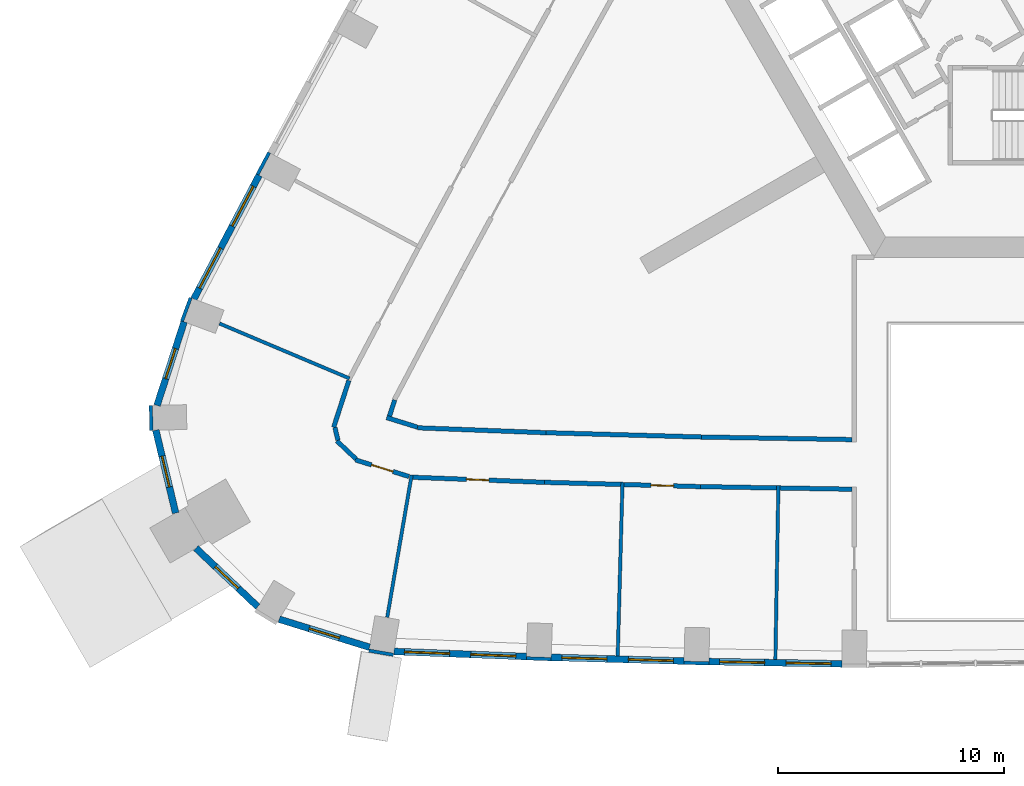
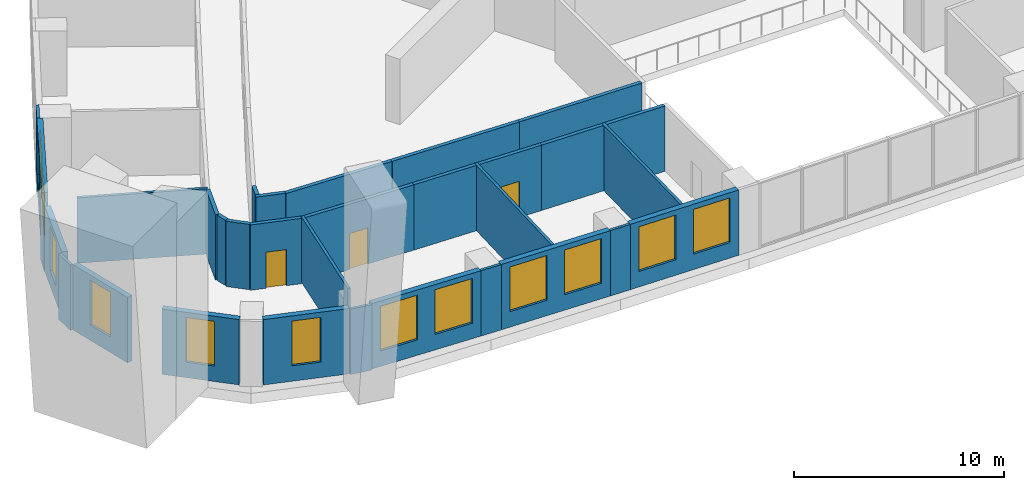
# One storey, part 4 of 15: 32 walls, 12 windows, 3 doors, 15 openings.
"""IFC4 building model written with IfcOpenShell, lengths in metres."""

from ifc_helpers import new_model, si_unit, direction, frame, frame_2d, origin, place, context, subcontext, project, spatial, rectangle, extrude, material, layer, layer_set, type_object, element, fill, save


model = new_model("IFC4")

# Units and contexts
model_context = context("Model", 3, precision=1e-05, world=origin(), true_north=direction((0.0, 1.0)))
body_context = subcontext(model_context, "Body", "Model", "MODEL_VIEW")
ifc_project = project(units=[si_unit("LENGTHUNIT", "METRE"), si_unit("AREAUNIT", "SQUARE_METRE"), si_unit("VOLUMEUNIT", "CUBIC_METRE"), si_unit("PLANEANGLEUNIT", "RADIAN"), si_unit("MASSUNIT", "GRAM", prefix="KILO")], contexts=[model_context])

# Site, building, storey
site_placement = place(None, origin())
site = spatial("IfcSite", under=ifc_project, at=site_placement, CompositionType="ELEMENT")
building_placement = place(site_placement, origin())
building = spatial("IfcBuilding", under=site, at=building_placement, Name="Entoto Arch Interchange Tower", CompositionType="ELEMENT")
storey_placement = place(building_placement, frame((0.0, 0.0, 111.800048828125)))
storey = spatial("IfcBuildingStorey", under=building, at=storey_placement, Name="L24", CompositionType="ELEMENT", Elevation=111.800048828125)

# Walls
ifc_material_1 = material(Name="Gypsum board partition on steel studs", Category="steel")
ifc_layer_1 = layer(ifc_material_1, 0.14990234375)
ifc_layer_set_1 = layer_set([ifc_layer_1], Name="Gypsum board partition on steel studs")
wall_type_1 = type_object("IfcWallType", Name="PARTITION 150", PredefinedType="PARTITIONING", material=ifc_layer_set_1)
wall_1_placement = place(storey_placement, frame((-30.174072265625, -14.866943359375, 0.0), z_axis=(0.0, 0.0, 1.0), x_axis=(-0.921262609517, 0.388941132185, 0.0)))
element("IfcWall", 1, at=wall_1_placement, inside=storey, type_object=wall_type_1, Name="wall:L24:p133", PredefinedType="PARTITIONING", context=body_context, shape_type="SweptSolid", body=[
    extrude(rectangle(XDim=6.257568359375, YDim=0.14990234375, at=frame_2d((3.12890625, 0.0))), origin(), (0.0, 0.0, 1.0), 3.800048828125),
])
wall_2_placement = place(storey_placement, frame((-27.419921875, -19.14794921875, 0.0), z_axis=(0.0, 0.0, 1.0), x_axis=(-0.169086648341, -0.985601189809, 0.0)))
element("IfcWall", 2, at=wall_2_placement, inside=storey, type_object=wall_type_1, Name="wall:L24:p134", PredefinedType="PARTITIONING", context=body_context, shape_type="SweptSolid", body=[
    extrude(rectangle(XDim=6.399169921875, YDim=0.14990234375, at=frame_2d((3.19970703125, 0.0))), origin(), (0.0, 0.0, 1.0), 3.800048828125),
])
wall_3_placement = place(storey_placement, frame((-18.071044921875, -19.468994140625, 0.0), z_axis=(0.0, 0.0, 1.0), x_axis=(-0.027648258523, -0.999617713829, 0.0)))
element("IfcWall", 3, at=wall_3_placement, inside=storey, type_object=wall_type_1, Name="wall:L24:p135", PredefinedType="PARTITIONING", context=body_context, shape_type="SweptSolid", body=[
    extrude(rectangle(XDim=7.699951171875, YDim=0.14990234375, at=frame_2d((3.85009765625, 0.0))), origin(), (0.0, 0.0, 1.0), 3.800048828125),
])
wall_4_placement = place(storey_placement, frame((-11.160888671875, -19.623046875, 0.0), z_axis=(0.0, 0.0, 1.0), x_axis=(-0.017153017473, -0.999852876173, 0.0)))
element("IfcWall", 4, at=wall_4_placement, inside=storey, type_object=wall_type_1, Name="wall:L24:p136", PredefinedType="PARTITIONING", context=body_context, shape_type="SweptSolid", body=[
    extrude(rectangle(XDim=7.7001953125, YDim=0.14990234375, at=frame_2d((3.85009765625, 0.0))), origin(), (0.0, 0.0, 1.0), 3.800048828125),
])
ifc_layer_2 = layer(ifc_material_1, 0.199951171875)
ifc_layer_set_2 = layer_set([ifc_layer_2], Name="Gypsum board partition on steel studs")
wall_type_2 = type_object("IfcWallType", Name="PARTITION 200", PredefinedType="PARTITIONING", material=ifc_layer_set_2)
wall_5_placement = place(storey_placement, frame((-28.1708984375, -15.821044921875, 0.0), z_axis=(0.0, 0.0, 1.0), x_axis=(-0.308053137273, -0.951369152651, 0.0)))
element("IfcWall", 5, at=wall_5_placement, inside=storey, type_object=wall_type_2, Name="wall:L24:p031", PredefinedType="PARTITIONING", context=body_context, shape_type="SweptSolid", body=[
    extrude(rectangle(XDim=0.753662109375, YDim=0.199951171875, at=frame_2d((0.376953125, 0.0))), origin(), (0.0, 0.0, 1.0), 3.800048828125),
])
wall_6_placement = place(storey_placement, frame((-28.529052734375, -16.60302734375, 0.0), z_axis=(0.0, 0.0, 1.0), x_axis=(0.954829998701, -0.297152609916, 0.0)))
element("IfcWall", 6, at=wall_6_placement, inside=storey, type_object=wall_type_2, Name="wall:L24:p032", PredefinedType="PARTITIONING", context=body_context, shape_type="SweptSolid", body=[
    extrude(rectangle(XDim=1.43701171875, YDim=0.199951171875, at=frame_2d((0.718505859375, 0.0))), origin(), (0.0, 0.0, 1.0), 3.800048828125),
])
wall_7_placement = place(storey_placement, frame((-27.162109375, -17.055908203125, 0.0), z_axis=(0.0, 0.0, 1.0), x_axis=(0.999270868304, -0.038180253525, 0.0)))
element("IfcWall", 7, at=wall_7_placement, inside=storey, type_object=wall_type_2, Name="wall:L24:p033", PredefinedType="PARTITIONING", context=body_context, shape_type="SweptSolid", body=[
    extrude(rectangle(XDim=5.710205078125, YDim=0.199951171875, at=frame_2d((2.85498046875, 0.0))), origin(), (0.0, 0.0, 1.0), 3.800048828125),
])
wall_8_placement = place(storey_placement, frame((-21.4560546875, -17.27392578125, 0.0), z_axis=(0.0, 0.0, 1.0), x_axis=(0.999618915549, -0.02760477632, 0.0)))
element("IfcWall", 8, at=wall_8_placement, inside=storey, type_object=wall_type_2, Name="wall:L24:p034", PredefinedType="PARTITIONING", context=body_context, shape_type="SweptSolid", body=[
    extrude(rectangle(XDim=6.8896484375, YDim=0.199951171875, at=frame_2d((3.44482421875, 0.0))), origin(), (0.0, 0.0, 1.0), 3.800048828125),
])
wall_9_placement = place(storey_placement, frame((-14.569091796875, -17.464111328125, 0.0), z_axis=(0.0, 0.0, 1.0), x_axis=(0.999851389672, -0.017239448129, 0.0)))
element("IfcWall", 9, at=wall_9_placement, inside=storey, type_object=wall_type_2, Name="wall:L24:p035", PredefinedType="PARTITIONING", context=body_context, shape_type="SweptSolid", body=[
    extrude(rectangle(XDim=6.670166015625, YDim=0.199951171875, at=frame_2d((3.3349609375, 0.0))), origin(), (0.0, 0.0, 1.0), 3.800048828125),
])

# Wall, opening, door
wall_10_placement = place(storey_placement, frame((-27.532958984375, -19.217041015625, 0.0), z_axis=(0.0, 0.0, 1.0), x_axis=(-0.954946345159, 0.296778499671, 0.0)))
wall_10 = element("IfcWall", 10, at=wall_10_placement, inside=storey, type_object=wall_type_2, Name="wall:L24:p069", PredefinedType="PARTITIONING", context=body_context, shape_type="SweptSolid", body=[
    extrude(rectangle(XDim=2.490234375, YDim=0.199951171875, at=frame_2d((1.2451171875, 0.0))), origin(), (0.0, 0.0, 1.0), 3.800048828125),
])
opening_1_placement = place(wall_10_placement, frame((0.7451171875, 0.0, 0.0)))
opening_1 = element("IfcOpeningElement", 11, at=opening_1_placement, cuts=wall_10, Name="Opening L24-D16", PredefinedType="OPENING", context=body_context, shape_type="SweptSolid", body=[
    extrude(rectangle(XDim=1.0, YDim=2.10009765625, at=frame_2d((0.5, 1.050048828125))), frame((0.0, 0.10986328125, 0.0), z_axis=(0.0, -1.0, 0.0), x_axis=(1.0, 0.0, 0.0)), (0.0, 0.0, 1.0), 0.219970703125),
])
ifc_material_2 = material(Name="Timber door leaf in Steel S235 frame", Category="steel")
door_type = type_object("IfcDoorType", Name="DOOR DS-10 1000x2100", OperationType="SINGLE_SWING_LEFT", PredefinedType="DOOR", material=ifc_material_2)
door_1_placement = place(opening_1_placement, origin())
door_1 = element("IfcDoor", 12, at=door_1_placement, inside=storey, type_object=door_type, Name="door:L24:16", OperationType="SINGLE_SWING_LEFT", OverallHeight=2.10009765625, OverallWidth=1.0, PredefinedType="DOOR", context=body_context, shape_type="SweptSolid", body=[
    extrude(rectangle(XDim=1.0, YDim=2.10009765625, at=frame_2d((0.5, 1.050048828125))), frame((0.0, 0.02490234375, 0.0), z_axis=(0.0, -1.0, 0.0), x_axis=(1.0, 0.0, 0.0)), (0.0, 0.0, 1.0), 0.050048828125),
])
fill(opening_1, door_1)

# Walls
wall_11_placement = place(storey_placement, frame((-29.887939453125, -18.43896484375, 0.0), z_axis=(0.0, 0.0, 1.0), x_axis=(-0.726155646563, 0.687530346214, 0.0)))
element("IfcWall", 13, at=wall_11_placement, inside=storey, type_object=wall_type_2, Name="wall:L24:p070", PredefinedType="PARTITIONING", context=body_context, shape_type="SweptSolid", body=[
    extrude(rectangle(XDim=1.16943359375, YDim=0.199951171875, at=frame_2d((0.584716796875, 0.0))), origin(), (0.0, 0.0, 1.0), 3.800048828125),
])
wall_12_placement = place(storey_placement, frame((-30.68701171875, -17.60693359375, 0.0), z_axis=(0.0, 0.0, 1.0), x_axis=(-0.232504544059, 0.972595309978, 0.0)))
element("IfcWall", 14, at=wall_12_placement, inside=storey, type_object=wall_type_2, Name="wall:L24:p071", PredefinedType="PARTITIONING", context=body_context, shape_type="SweptSolid", body=[
    extrude(rectangle(XDim=0.5849609375, YDim=0.199951171875, at=frame_2d((0.29248046875, 0.0))), origin(), (0.0, 0.0, 1.0), 3.800048828125),
])
wall_13_placement = place(storey_placement, frame((-30.8779296875, -17.035888671875, 0.0), z_axis=(0.0, 0.0, 1.0), x_axis=(0.308592319841, 0.951194396606, 0.0)))
element("IfcWall", 15, at=wall_13_placement, inside=storey, type_object=wall_type_2, Name="wall:L24:p072", PredefinedType="PARTITIONING", context=body_context, shape_type="SweptSolid", body=[
    extrude(rectangle(XDim=2.180419921875, YDim=0.199951171875, at=frame_2d((1.09033203125, 0.0))), origin(), (0.0, 0.0, 1.0), 3.800048828125),
])
wall_14_placement = place(storey_placement, frame((-18.14892578125, -19.56591796875, 0.0), z_axis=(0.0, 0.0, 1.0), x_axis=(-0.999621568347, 0.027508545868, 0.0)))
element("IfcWall", 16, at=wall_14_placement, inside=storey, type_object=wall_type_2, Name="wall:L24:p073", PredefinedType="PARTITIONING", context=body_context, shape_type="SweptSolid", body=[
    extrude(rectangle(XDim=3.38134765625, YDim=0.199951171875, at=frame_2d((1.690673828125, 0.0))), origin(), (0.0, 0.0, 1.0), 3.800048828125),
])

# Wall, opening, door
wall_15_placement = place(storey_placement, frame((-21.529052734375, -19.472900390625, 0.0), z_axis=(0.0, 0.0, 1.0), x_axis=(-0.999270076349, 0.038200975307, 0.0)))
wall_15 = element("IfcWall", 17, at=wall_15_placement, inside=storey, type_object=wall_type_2, Name="wall:L24:p074", PredefinedType="PARTITIONING", context=body_context, shape_type="SweptSolid", body=[
    extrude(rectangle(XDim=5.937255859375, YDim=0.199951171875, at=frame_2d((2.96875, 0.0))), origin(), (0.0, 0.0, 1.0), 3.800048828125),
])
opening_2_placement = place(wall_15_placement, frame((2.468994140625, 0.0, 0.0)))
opening_2 = element("IfcOpeningElement", 18, at=opening_2_placement, cuts=wall_15, Name="Opening L24-D17", PredefinedType="OPENING", context=body_context, shape_type="SweptSolid", body=[
    extrude(rectangle(XDim=1.0, YDim=2.10009765625, at=frame_2d((0.5, 1.050048828125))), frame((0.0, 0.10986328125, 0.0), z_axis=(0.0, -1.0, 0.0), x_axis=(1.0, 0.0, 0.0)), (0.0, 0.0, 1.0), 0.219970703125),
])
door_2_placement = place(opening_2_placement, origin())
door_2 = element("IfcDoor", 19, at=door_2_placement, inside=storey, type_object=door_type, Name="door:L24:17", OperationType="SINGLE_SWING_LEFT", OverallHeight=2.10009765625, OverallWidth=1.0, PredefinedType="DOOR", context=body_context, shape_type="SweptSolid", body=[
    extrude(rectangle(XDim=1.0, YDim=2.10009765625, at=frame_2d((0.5, 1.050048828125))), frame((0.0, 0.02490234375, 0.0), z_axis=(0.0, -1.0, 0.0), x_axis=(1.0, 0.0, 0.0)), (0.0, 0.0, 1.0), 0.050048828125),
])
fill(opening_2, door_2)

# Wall
wall_16_placement = place(storey_placement, frame((-11.237060546875, -19.721923828125, 0.0), z_axis=(0.0, 0.0, 1.0), x_axis=(-0.999853581081, 0.017111878879, 0.0)))
element("IfcWall", 20, at=wall_16_placement, inside=storey, type_object=wall_type_2, Name="wall:L24:p075", PredefinedType="PARTITIONING", context=body_context, shape_type="SweptSolid", body=[
    extrude(rectangle(XDim=3.38134765625, YDim=0.199951171875, at=frame_2d((1.690673828125, 0.0))), origin(), (0.0, 0.0, 1.0), 3.800048828125),
])

# Wall, opening, door
wall_17_placement = place(storey_placement, frame((-14.617919921875, -19.6640625, 0.0), z_axis=(0.0, 0.0, 1.0), x_axis=(-0.999621786796, 0.027500606598, 0.0)))
wall_17 = element("IfcWall", 21, at=wall_17_placement, inside=storey, type_object=wall_type_2, Name="wall:L24:p076", PredefinedType="PARTITIONING", context=body_context, shape_type="SweptSolid", body=[
    extrude(rectangle(XDim=3.38232421875, YDim=0.199951171875, at=frame_2d((1.691162109375, 0.0))), origin(), (0.0, 0.0, 1.0), 3.800048828125),
])
opening_3_placement = place(wall_17_placement, frame((1.19091796875, 0.0, 0.0)))
opening_3 = element("IfcOpeningElement", 22, at=opening_3_placement, cuts=wall_17, Name="Opening L24-D18", PredefinedType="OPENING", context=body_context, shape_type="SweptSolid", body=[
    extrude(rectangle(XDim=1.0, YDim=2.10009765625, at=frame_2d((0.5, 1.050048828125))), frame((0.0, 0.10986328125, 0.0), z_axis=(0.0, -1.0, 0.0), x_axis=(1.0, 0.0, 0.0)), (0.0, 0.0, 1.0), 0.219970703125),
])
door_3_placement = place(opening_3_placement, origin())
door_3 = element("IfcDoor", 23, at=door_3_placement, inside=storey, type_object=door_type, Name="door:L24:18", OperationType="SINGLE_SWING_LEFT", OverallHeight=2.10009765625, OverallWidth=1.0, PredefinedType="DOOR", context=body_context, shape_type="SweptSolid", body=[
    extrude(rectangle(XDim=1.0, YDim=2.10009765625, at=frame_2d((0.5, 1.050048828125))), frame((0.0, 0.02490234375, 0.0), z_axis=(0.0, -1.0, 0.0), x_axis=(1.0, 0.0, 0.0)), (0.0, 0.0, 1.0), 0.050048828125),
])
fill(opening_3, door_3)

# Wall
wall_18_placement = place(storey_placement, frame((-7.89990234375, -19.779052734375, 0.0), z_axis=(0.0, 0.0, 1.0), x_axis=(-0.999851582532, 0.017228259004, 0.0)))
element("IfcWall", 24, at=wall_18_placement, inside=storey, type_object=wall_type_2, Name="wall:L24:p077", PredefinedType="PARTITIONING", context=body_context, shape_type="SweptSolid", body=[
    extrude(rectangle(XDim=3.1884765625, YDim=0.199951171875, at=frame_2d((1.59423828125, 0.0))), origin(), (0.0, 0.0, 1.0), 3.800048828125),
])

# Wall, openings, windows
ifc_material_3 = material(Name="Welded tuff (ignimbrite) cladding, warm buff", Category="masonry")
ifc_layer_3 = layer(ifc_material_3, 0.300048828125)
ifc_layer_set_3 = layer_set([ifc_layer_3], Name="Welded tuff (ignimbrite) cladding, warm buff")
wall_type_3 = type_object("IfcWallType", Name="STONE INFILL WALL 300", PredefinedType="STANDARD", material=ifc_layer_set_3)
wall_19_placement = place(storey_placement, frame((-28.205078125, -26.972900390625, 0.0), z_axis=(0.0, 0.0, 1.0), x_axis=(0.999266319694, -0.03829911651, 0.0)))
wall_19 = element("IfcWall", 25, at=wall_19_placement, inside=storey, type_object=wall_type_3, Name="Facade wall S-01 L24", PredefinedType="STANDARD", context=body_context, shape_type="SweptSolid", body=[
    extrude(rectangle(XDim=5.87744140625, YDim=0.300048828125, at=frame_2d((2.938720703125, 0.0))), origin(), (0.0, 0.0, 1.0), 3.800048828125),
])
opening_4_placement = place(wall_19_placement, frame((0.468994140625, 0.0, 0.89990234375)))
opening_4 = element("IfcOpeningElement", 26, at=opening_4_placement, cuts=wall_19, Name="Opening WO-C", PredefinedType="OPENING", context=body_context, shape_type="SweptSolid", body=[
    extrude(rectangle(XDim=2.0, YDim=2.60009765625, at=frame_2d((1.0, 1.300048828125))), frame((0.0, 0.16015625, 0.0), z_axis=(0.0, -1.0, 0.0), x_axis=(1.0, 0.0, 0.0)), (0.0, 0.0, 1.0), 0.320068359375),
])
opening_5_placement = place(wall_19_placement, frame((3.407958984375, 0.0, 0.89990234375)))
opening_5 = element("IfcOpeningElement", 27, at=opening_5_placement, cuts=wall_19, Name="Opening WO-C", PredefinedType="OPENING", context=body_context, shape_type="SweptSolid", body=[
    extrude(rectangle(XDim=2.0, YDim=2.60009765625, at=frame_2d((1.0, 1.300048828125))), frame((0.0, 0.16015625, 0.0), z_axis=(0.0, -1.0, 0.0), x_axis=(1.0, 0.0, 0.0)), (0.0, 0.0, 1.0), 0.320068359375),
])
ifc_material_4 = material(Name="Clear glass, low-e double glazed", Category="glass")
window_type_1 = type_object("IfcWindowType", Name="WINDOW WO-C 2000x2600", PartitioningType="DOUBLE_PANEL_VERTICAL", PredefinedType="WINDOW", material=ifc_material_4)
window_1_placement = place(opening_4_placement, origin())
window_1 = element("IfcWindow", 28, at=window_1_placement, inside=storey, type_object=window_type_1, Name="Window WO-C S-01 L24", OverallHeight=2.60009765625, OverallWidth=2.0, PartitioningType="SINGLE_PANEL", PredefinedType="WINDOW", context=body_context, shape_type="SweptSolid", body=[
    extrude(rectangle(XDim=2.0, YDim=2.60009765625, at=frame_2d((1.0, 1.300048828125))), frame((0.0, 0.030029296875, 0.0), z_axis=(0.0, -1.0, 0.0), x_axis=(1.0, 0.0, 0.0)), (0.0, 0.0, 1.0), 0.06005859375),
])
fill(opening_4, window_1)
window_2_placement = place(opening_5_placement, origin())
window_2 = element("IfcWindow", 29, at=window_2_placement, inside=storey, type_object=window_type_1, Name="Window WO-C S-01 L24", OverallHeight=2.60009765625, OverallWidth=2.0, PartitioningType="SINGLE_PANEL", PredefinedType="WINDOW", context=body_context, shape_type="SweptSolid", body=[
    extrude(rectangle(XDim=2.0, YDim=2.60009765625, at=frame_2d((1.0, 1.300048828125))), frame((0.0, 0.030029296875, 0.0), z_axis=(0.0, -1.0, 0.0), x_axis=(1.0, 0.0, 0.0)), (0.0, 0.0, 1.0), 0.06005859375),
])
fill(opening_5, window_2)

wall_20_placement = place(storey_placement, frame((-21.235107421875, -27.23388671875, 0.0), z_axis=(0.0, 0.0, 1.0), x_axis=(0.999617542368, -0.027654456983, 0.0)))
wall_20 = element("IfcWall", 30, at=wall_20_placement, inside=storey, type_object=wall_type_3, Name="Facade wall S-02 L24", PredefinedType="STANDARD", context=body_context, shape_type="SweptSolid", body=[
    extrude(rectangle(XDim=5.897216796875, YDim=0.300048828125, at=frame_2d((2.94873046875, 0.0))), origin(), (0.0, 0.0, 1.0), 3.800048828125),
])
opening_6_placement = place(wall_20_placement, frame((0.47412109375, 0.0, 0.89990234375)))
opening_6 = element("IfcOpeningElement", 31, at=opening_6_placement, cuts=wall_20, Name="Opening WO-C", PredefinedType="OPENING", context=body_context, shape_type="SweptSolid", body=[
    extrude(rectangle(XDim=2.0, YDim=2.60009765625, at=frame_2d((1.0, 1.300048828125))), frame((0.0, 0.16015625, 0.0), z_axis=(0.0, -1.0, 0.0), x_axis=(1.0, 0.0, 0.0)), (0.0, 0.0, 1.0), 0.320068359375),
])
opening_7_placement = place(wall_20_placement, frame((3.423095703125, 0.0, 0.89990234375)))
opening_7 = element("IfcOpeningElement", 32, at=opening_7_placement, cuts=wall_20, Name="Opening WO-C", PredefinedType="OPENING", context=body_context, shape_type="SweptSolid", body=[
    extrude(rectangle(XDim=2.0, YDim=2.60009765625, at=frame_2d((1.0, 1.300048828125))), frame((0.0, 0.16015625, 0.0), z_axis=(0.0, -1.0, 0.0), x_axis=(1.0, 0.0, 0.0)), (0.0, 0.0, 1.0), 0.320068359375),
])
window_3_placement = place(opening_6_placement, origin())
window_3 = element("IfcWindow", 33, at=window_3_placement, inside=storey, type_object=window_type_1, Name="Window WO-C S-02 L24", OverallHeight=2.60009765625, OverallWidth=2.0, PartitioningType="SINGLE_PANEL", PredefinedType="WINDOW", context=body_context, shape_type="SweptSolid", body=[
    extrude(rectangle(XDim=2.0, YDim=2.60009765625, at=frame_2d((1.0, 1.300048828125))), frame((0.0, 0.030029296875, 0.0), z_axis=(0.0, -1.0, 0.0), x_axis=(1.0, 0.0, 0.0)), (0.0, 0.0, 1.0), 0.06005859375),
])
fill(opening_6, window_3)
window_4_placement = place(opening_7_placement, origin())
window_4 = element("IfcWindow", 34, at=window_4_placement, inside=storey, type_object=window_type_1, Name="Window WO-C S-02 L24", OverallHeight=2.60009765625, OverallWidth=2.0, PartitioningType="SINGLE_PANEL", PredefinedType="WINDOW", context=body_context, shape_type="SweptSolid", body=[
    extrude(rectangle(XDim=2.0, YDim=2.60009765625, at=frame_2d((1.0, 1.300048828125))), frame((0.0, 0.030029296875, 0.0), z_axis=(0.0, -1.0, 0.0), x_axis=(1.0, 0.0, 0.0)), (0.0, 0.0, 1.0), 0.06005859375),
])
fill(opening_7, window_4)

wall_21_placement = place(storey_placement, frame((-14.241943359375, -27.4208984375, 0.0), z_axis=(0.0, 0.0, 1.0), x_axis=(0.999850142513, -0.017311629508, 0.0)))
wall_21 = element("IfcWall", 35, at=wall_21_placement, inside=storey, type_object=wall_type_3, Name="Facade wall S-03 L24", PredefinedType="STANDARD", context=body_context, shape_type="SweptSolid", body=[
    extrude(rectangle(XDim=5.89501953125, YDim=0.300048828125, at=frame_2d((2.947509765625, 0.0))), origin(), (0.0, 0.0, 1.0), 3.800048828125),
])
opening_8_placement = place(wall_21_placement, frame((0.47412109375, 0.0, 0.89990234375)))
opening_8 = element("IfcOpeningElement", 36, at=opening_8_placement, cuts=wall_21, Name="Opening WO-C", PredefinedType="OPENING", context=body_context, shape_type="SweptSolid", body=[
    extrude(rectangle(XDim=2.0, YDim=2.60009765625, at=frame_2d((1.0, 1.300048828125))), frame((0.0, 0.16015625, 0.0), z_axis=(0.0, -1.0, 0.0), x_axis=(1.0, 0.0, 0.0)), (0.0, 0.0, 1.0), 0.320068359375),
])
opening_9_placement = place(wall_21_placement, frame((3.4208984375, 0.0, 0.89990234375)))
opening_9 = element("IfcOpeningElement", 37, at=opening_9_placement, cuts=wall_21, Name="Opening WO-C", PredefinedType="OPENING", context=body_context, shape_type="SweptSolid", body=[
    extrude(rectangle(XDim=2.0, YDim=2.60009765625, at=frame_2d((1.0, 1.300048828125))), frame((0.0, 0.16015625, 0.0), z_axis=(0.0, -1.0, 0.0), x_axis=(1.0, 0.0, 0.0)), (0.0, 0.0, 1.0), 0.320068359375),
])
window_5_placement = place(opening_8_placement, origin())
window_5 = element("IfcWindow", 38, at=window_5_placement, inside=storey, type_object=window_type_1, Name="Window WO-C S-03 L24", OverallHeight=2.60009765625, OverallWidth=2.0, PartitioningType="SINGLE_PANEL", PredefinedType="WINDOW", context=body_context, shape_type="SweptSolid", body=[
    extrude(rectangle(XDim=2.0, YDim=2.60009765625, at=frame_2d((1.0, 1.300048828125))), frame((0.0, 0.030029296875, 0.0), z_axis=(0.0, -1.0, 0.0), x_axis=(1.0, 0.0, 0.0)), (0.0, 0.0, 1.0), 0.06005859375),
])
fill(opening_8, window_5)
window_6_placement = place(opening_9_placement, origin())
window_6 = element("IfcWindow", 39, at=window_6_placement, inside=storey, type_object=window_type_1, Name="Window WO-C S-03 L24", OverallHeight=2.60009765625, OverallWidth=2.0, PartitioningType="SINGLE_PANEL", PredefinedType="WINDOW", context=body_context, shape_type="SweptSolid", body=[
    extrude(rectangle(XDim=2.0, YDim=2.60009765625, at=frame_2d((1.0, 1.300048828125))), frame((0.0, 0.030029296875, 0.0), z_axis=(0.0, -1.0, 0.0), x_axis=(1.0, 0.0, 0.0)), (0.0, 0.0, 1.0), 0.06005859375),
])
fill(opening_9, window_6)

wall_22_placement = place(storey_placement, frame((-34.18505859375, -5.860107421875, 0.0), z_axis=(0.0, 0.0, 1.0), x_axis=(-0.466599547852, -0.88446868907, 0.0)))
wall_22 = element("IfcWall", 40, at=wall_22_placement, inside=storey, type_object=wall_type_3, Name="Facade wall NW-08 L24", PredefinedType="STANDARD", context=body_context, shape_type="SweptSolid", body=[
    extrude(rectangle(XDim=6.202392578125, YDim=0.300048828125, at=frame_2d((3.10107421875, 0.0))), origin(), (0.0, 0.0, 1.0), 3.800048828125),
])
opening_10_placement = place(wall_22_placement, frame((0.551025390625, 0.0, 0.89990234375)))
opening_10 = element("IfcOpeningElement", 41, at=opening_10_placement, cuts=wall_22, Name="Opening WO-C", PredefinedType="OPENING", context=body_context, shape_type="SweptSolid", body=[
    extrude(rectangle(XDim=2.0, YDim=2.60009765625, at=frame_2d((1.0, 1.300048828125))), frame((0.0, 0.16015625, 0.0), z_axis=(0.0, -1.0, 0.0), x_axis=(1.0, 0.0, 0.0)), (0.0, 0.0, 1.0), 0.320068359375),
])
opening_11_placement = place(wall_22_placement, frame((3.652099609375, 0.0, 0.89990234375)))
opening_11 = element("IfcOpeningElement", 42, at=opening_11_placement, cuts=wall_22, Name="Opening WO-C", PredefinedType="OPENING", context=body_context, shape_type="SweptSolid", body=[
    extrude(rectangle(XDim=2.0, YDim=2.60009765625, at=frame_2d((1.0, 1.300048828125))), frame((0.0, 0.16015625, 0.0), z_axis=(0.0, -1.0, 0.0), x_axis=(1.0, 0.0, 0.0)), (0.0, 0.0, 1.0), 0.320068359375),
])
window_7_placement = place(opening_10_placement, origin())
window_7 = element("IfcWindow", 43, at=window_7_placement, inside=storey, type_object=window_type_1, Name="Window WO-C NW-08 L24", OverallHeight=2.60009765625, OverallWidth=2.0, PartitioningType="SINGLE_PANEL", PredefinedType="WINDOW", context=body_context, shape_type="SweptSolid", body=[
    extrude(rectangle(XDim=2.0, YDim=2.60009765625, at=frame_2d((1.0, 1.300048828125))), frame((0.0, 0.030029296875, 0.0), z_axis=(0.0, -1.0, 0.0), x_axis=(1.0, 0.0, 0.0)), (0.0, 0.0, 1.0), 0.06005859375),
])
fill(opening_10, window_7)
window_8_placement = place(opening_11_placement, origin())
window_8 = element("IfcWindow", 44, at=window_8_placement, inside=storey, type_object=window_type_1, Name="Window WO-C NW-08 L24", OverallHeight=2.60009765625, OverallWidth=2.0, PartitioningType="SINGLE_PANEL", PredefinedType="WINDOW", context=body_context, shape_type="SweptSolid", body=[
    extrude(rectangle(XDim=2.0, YDim=2.60009765625, at=frame_2d((1.0, 1.300048828125))), frame((0.0, 0.030029296875, 0.0), z_axis=(0.0, -1.0, 0.0), x_axis=(1.0, 0.0, 0.0)), (0.0, 0.0, 1.0), 0.06005859375),
])
fill(opening_11, window_8)

# Wall, opening, window
wall_23_placement = place(storey_placement, frame((-37.508056640625, -12.35791015625, 0.0), z_axis=(0.0, 0.0, 1.0), x_axis=(-0.308484760821, -0.951229284842, 0.0)))
wall_23 = element("IfcWall", 45, at=wall_23_placement, inside=storey, type_object=wall_type_3, Name="Facade wall SW-01 L24", PredefinedType="STANDARD", context=body_context, shape_type="SweptSolid", body=[
    extrude(rectangle(XDim=3.89306640625, YDim=0.300048828125, at=frame_2d((1.946533203125, 0.0))), origin(), (0.0, 0.0, 1.0), 3.800048828125),
])
opening_12_placement = place(wall_23_placement, frame((1.24609375, 0.0, 0.89990234375)))
opening_12 = element("IfcOpeningElement", 46, at=opening_12_placement, cuts=wall_23, Name="Opening WO-B", PredefinedType="OPENING", context=body_context, shape_type="SweptSolid", body=[
    extrude(rectangle(XDim=1.39990234375, YDim=2.60009765625, at=frame_2d((0.699951171875, 1.300048828125))), frame((0.0, 0.16015625, 0.0), z_axis=(0.0, -1.0, 0.0), x_axis=(1.0, 0.0, 0.0)), (0.0, 0.0, 1.0), 0.320068359375),
])
window_type_2 = type_object("IfcWindowType", Name="WINDOW WO-B 1400x2600", PartitioningType="DOUBLE_PANEL_VERTICAL", PredefinedType="WINDOW", material=ifc_material_4)
window_9_placement = place(opening_12_placement, origin())
window_9 = element("IfcWindow", 47, at=window_9_placement, inside=storey, type_object=window_type_2, Name="Window WO-B SW-01 L24", OverallHeight=2.60009765625, OverallWidth=1.39990234375, PartitioningType="SINGLE_PANEL", PredefinedType="WINDOW", context=body_context, shape_type="SweptSolid", body=[
    extrude(rectangle(XDim=1.39990234375, YDim=2.60009765625, at=frame_2d((0.699951171875, 1.300048828125))), frame((0.0, 0.030029296875, 0.0), z_axis=(0.0, -1.0, 0.0), x_axis=(1.0, 0.0, 0.0)), (0.0, 0.0, 1.0), 0.06005859375),
])
fill(opening_12, window_9)

wall_24_placement = place(storey_placement, frame((-38.762939453125, -17.160888671875, 0.0), z_axis=(0.0, 0.0, 1.0), x_axis=(0.232654276823, -0.972559503309, 0.0)))
wall_24 = element("IfcWall", 48, at=wall_24_placement, inside=storey, type_object=wall_type_3, Name="Facade wall SW-02 L24", PredefinedType="STANDARD", context=body_context, shape_type="SweptSolid", body=[
    extrude(rectangle(XDim=3.77783203125, YDim=0.300048828125, at=frame_2d((1.888916015625, 0.0))), origin(), (0.0, 0.0, 1.0), 3.800048828125),
])
opening_13_placement = place(wall_24_placement, frame((1.18896484375, 0.0, 0.89990234375)))
opening_13 = element("IfcOpeningElement", 49, at=opening_13_placement, cuts=wall_24, Name="Opening WO-B", PredefinedType="OPENING", context=body_context, shape_type="SweptSolid", body=[
    extrude(rectangle(XDim=1.39990234375, YDim=2.60009765625, at=frame_2d((0.699951171875, 1.300048828125))), frame((0.0, 0.16015625, 0.0), z_axis=(0.0, -1.0, 0.0), x_axis=(1.0, 0.0, 0.0)), (0.0, 0.0, 1.0), 0.320068359375),
])
window_10_placement = place(opening_13_placement, origin())
window_10 = element("IfcWindow", 50, at=window_10_placement, inside=storey, type_object=window_type_2, Name="Window WO-B SW-02 L24", OverallHeight=2.60009765625, OverallWidth=1.39990234375, PartitioningType="SINGLE_PANEL", PredefinedType="WINDOW", context=body_context, shape_type="SweptSolid", body=[
    extrude(rectangle(XDim=1.39990234375, YDim=2.60009765625, at=frame_2d((0.699951171875, 1.300048828125))), frame((0.0, 0.030029296875, 0.0), z_axis=(0.0, -1.0, 0.0), x_axis=(1.0, 0.0, 0.0)), (0.0, 0.0, 1.0), 0.06005859375),
])
fill(opening_13, window_10)

wall_25_placement = place(storey_placement, frame((-36.985107421875, -22.39208984375, 0.0), z_axis=(0.0, 0.0, 1.0), x_axis=(0.726076674532, -0.687613745281, 0.0)))
wall_25 = element("IfcWall", 51, at=wall_25_placement, inside=storey, type_object=wall_type_3, Name="Facade wall SW-03 L24", PredefinedType="STANDARD", context=body_context, shape_type="SweptSolid", body=[
    extrude(rectangle(XDim=3.776611328125, YDim=0.300048828125, at=frame_2d((1.88818359375, 0.0))), origin(), (0.0, 0.0, 1.0), 3.800048828125),
])
opening_14_placement = place(wall_25_placement, frame((1.18798828125, 0.0, 0.89990234375)))
opening_14 = element("IfcOpeningElement", 52, at=opening_14_placement, cuts=wall_25, Name="Opening WO-B", PredefinedType="OPENING", context=body_context, shape_type="SweptSolid", body=[
    extrude(rectangle(XDim=1.39990234375, YDim=2.60009765625, at=frame_2d((0.699951171875, 1.300048828125))), frame((0.0, 0.16015625, 0.0), z_axis=(0.0, -1.0, 0.0), x_axis=(1.0, 0.0, 0.0)), (0.0, 0.0, 1.0), 0.320068359375),
])
window_11_placement = place(opening_14_placement, origin())
window_11 = element("IfcWindow", 53, at=window_11_placement, inside=storey, type_object=window_type_2, Name="Window WO-B SW-03 L24", OverallHeight=2.60009765625, OverallWidth=1.39990234375, PartitioningType="SINGLE_PANEL", PredefinedType="WINDOW", context=body_context, shape_type="SweptSolid", body=[
    extrude(rectangle(XDim=1.39990234375, YDim=2.60009765625, at=frame_2d((0.699951171875, 1.300048828125))), frame((0.0, 0.030029296875, 0.0), z_axis=(0.0, -1.0, 0.0), x_axis=(1.0, 0.0, 0.0)), (0.0, 0.0, 1.0), 0.06005859375),
])
fill(opening_14, window_11)

wall_26_placement = place(storey_placement, frame((-33.2939453125, -25.5419921875, 0.0), z_axis=(0.0, 0.0, 1.0), x_axis=(0.954955020021, -0.296750585066, 0.0)))
wall_26 = element("IfcWall", 54, at=wall_26_placement, inside=storey, type_object=wall_type_3, Name="Facade wall SW-04 L24", PredefinedType="STANDARD", context=body_context, shape_type="SweptSolid", body=[
    extrude(rectangle(XDim=4.19580078125, YDim=0.300048828125, at=frame_2d((2.097900390625, 0.0))), origin(), (0.0, 0.0, 1.0), 3.800048828125),
])
opening_15_placement = place(wall_26_placement, frame((1.39794921875, 0.0, 0.89990234375)))
opening_15 = element("IfcOpeningElement", 55, at=opening_15_placement, cuts=wall_26, Name="Opening WO-B", PredefinedType="OPENING", context=body_context, shape_type="SweptSolid", body=[
    extrude(rectangle(XDim=1.39990234375, YDim=2.60009765625, at=frame_2d((0.699951171875, 1.300048828125))), frame((0.0, 0.16015625, 0.0), z_axis=(0.0, -1.0, 0.0), x_axis=(1.0, 0.0, 0.0)), (0.0, 0.0, 1.0), 0.320068359375),
])
window_12_placement = place(opening_15_placement, origin())
window_12 = element("IfcWindow", 56, at=window_12_placement, inside=storey, type_object=window_type_2, Name="Window WO-B SW-04 L24", OverallHeight=2.60009765625, OverallWidth=1.39990234375, PartitioningType="SINGLE_PANEL", PredefinedType="WINDOW", context=body_context, shape_type="SweptSolid", body=[
    extrude(rectangle(XDim=1.39990234375, YDim=2.60009765625, at=frame_2d((0.699951171875, 1.300048828125))), frame((0.0, 0.030029296875, 0.0), z_axis=(0.0, -1.0, 0.0), x_axis=(1.0, 0.0, 0.0)), (0.0, 0.0, 1.0), 0.06005859375),
])
fill(opening_15, window_12)

# Walls
ifc_layer_4 = layer(ifc_material_3, 0.14990234375)
ifc_layer_set_4 = layer_set([ifc_layer_4], Name="Welded tuff (ignimbrite) cladding, warm buff")
wall_type_4 = type_object("IfcWallType", Name="STONE PIER CLADDING 150", PredefinedType="STANDARD", material=ifc_layer_set_4)
wall_27_placement = place(storey_placement, frame((-33.737060546875, -4.85400390625, 0.0), z_axis=(0.0, 0.0, 1.0), x_axis=(-0.46919310775, -0.883095593716, 0.0)))
element("IfcWall", 57, at=wall_27_placement, inside=storey, type_object=wall_type_4, Name="Stone pier NW08 L24", PredefinedType="STANDARD", context=body_context, shape_type="SweptSolid", body=[
    extrude(rectangle(XDim=1.099365234375, YDim=0.14990234375, at=frame_2d((0.5498046875, 0.0))), origin(), (0.0, 0.0, 1.0), 3.800048828125),
])
wall_28_placement = place(storey_placement, frame((-37.218017578125, -11.29296875, 0.0), z_axis=(0.0, 0.0, 1.0), x_axis=(-0.347205967468, -0.937788897436, 0.0)))
element("IfcWall", 58, at=wall_28_placement, inside=storey, type_object=wall_type_4, Name="Stone pier NW09 L24", PredefinedType="STANDARD", context=body_context, shape_type="SweptSolid", body=[
    extrude(rectangle(XDim=1.100341796875, YDim=0.14990234375, at=frame_2d((0.55029296875, 0.0))), origin(), (0.0, 0.0, 1.0), 3.800048828125),
])
wall_29_placement = place(storey_placement, frame((-29.31396484375, -26.93505859375, 0.0), z_axis=(0.0, 0.0, 1.0), x_axis=(0.985763338892, -0.168138751323, 0.0)))
element("IfcWall", 59, at=wall_29_placement, inside=storey, type_object=wall_type_4, Name="Stone pier S01 L24", PredefinedType="STANDARD", context=body_context, shape_type="SweptSolid", body=[
    extrude(rectangle(XDim=1.1005859375, YDim=0.14990234375, at=frame_2d((0.55029296875, 0.0))), origin(), (0.0, 0.0, 1.0), 3.800048828125),
])
wall_30_placement = place(storey_placement, frame((-22.3359375, -27.27490234375, 0.0), z_axis=(0.0, 0.0, 1.0), x_axis=(0.999368780235, -0.035525217693, 0.0)))
element("IfcWall", 60, at=wall_30_placement, inside=storey, type_object=wall_type_4, Name="Stone pier S02 L24", PredefinedType="STANDARD", context=body_context, shape_type="SweptSolid", body=[
    extrude(rectangle(XDim=1.099609375, YDim=0.14990234375, at=frame_2d((0.5498046875, 0.0))), origin(), (0.0, 0.0, 1.0), 3.800048828125),
])
for number, where, z_axis, x_axis, name in (
    (61, (-15.343017578125, -27.47412109375, 0.0), (0.0, 0.0, 1.0), (0.999723421029, -0.023517683673, 0.0), "Stone pier S03 L24"),
    (62, (-38.985107421875, -16.06591796875, 0.0), (0.0, 0.0, 1.0), (0.023739424163, -0.999718180159, 0.0), "Stone pier SW1 L24"),
):
    element("IfcWall", number, at=place(storey_placement, frame(where, z_axis=z_axis, x_axis=x_axis)), inside=storey, type_object=wall_type_4, Name=name, PredefinedType="STANDARD", context=body_context, shape_type="SweptSolid", body=[
        extrude(rectangle(XDim=1.100341796875, YDim=0.14990234375, at=frame_2d((0.55029296875, 0.0))), origin(), (0.0, 0.0, 1.0), 3.800048828125),
    ])

save(model, "model.ifc")
